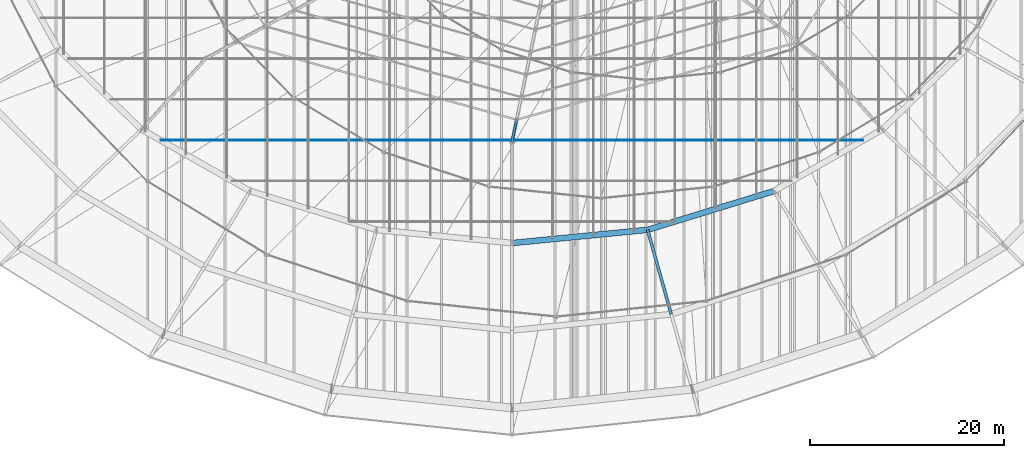
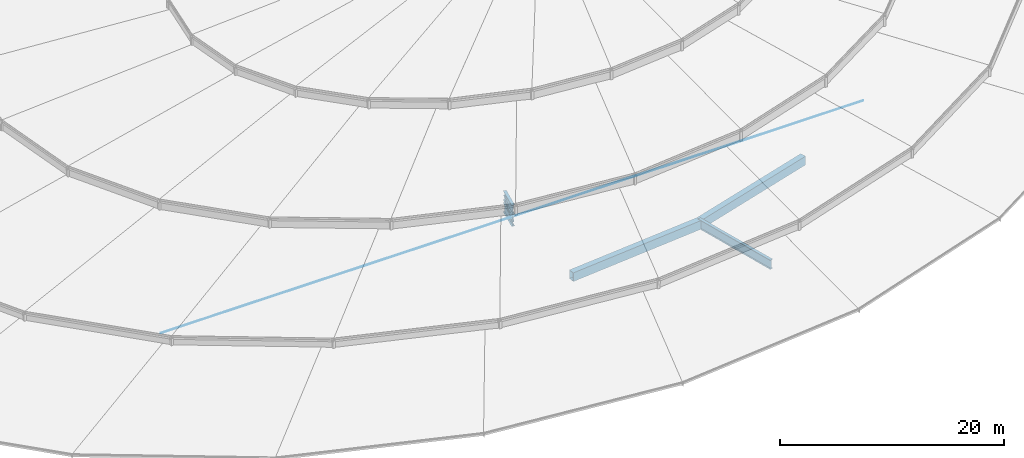
# One storey, part 37 of 184: 5 beams, 2 members.
"""IFC4 building model written with IfcOpenShell, lengths in metres."""

from ifc_helpers import new_model, si_unit, direction, frame, origin, origin_2d, place, context, subcontext, project, spatial, hollow_rectangle, circle, i_section, extrude, material, material_profile, profile_set, type_object, element, save


model = new_model("IFC4")

# Units and contexts
model_context = context("Model", 3, precision=1e-05, world=origin(), true_north=direction((0.0, 1.0)))
body_context = subcontext(model_context, "Body", "Model", "MODEL_VIEW")
ifc_project = project(units=[si_unit("LENGTHUNIT", "METRE"), si_unit("AREAUNIT", "SQUARE_METRE"), si_unit("VOLUMEUNIT", "CUBIC_METRE"), si_unit("PLANEANGLEUNIT", "RADIAN"), si_unit("MASSUNIT", "GRAM", prefix="KILO")], contexts=[model_context])

# Site, building, storey
site_placement = place(None, origin())
site = spatial("IfcSite", under=ifc_project, at=site_placement, CompositionType="ELEMENT")
building_placement = place(site_placement, origin())
building = spatial("IfcBuilding", under=site, at=building_placement, Name="Kalgoora Escarpment Arena", CompositionType="ELEMENT")
storey_placement = place(building_placement, frame((0.0, 0.0, 27.60009765625)))
storey = spatial("IfcBuildingStorey", under=building, at=storey_placement, Name="Roof Level", CompositionType="ELEMENT", Elevation=27.60009765625)

# Beams
ifc_material_1 = material(Name="Structural steel Grade 350 (350 MPa)", Category="steel")
ifc_material_profile_1 = material_profile(ifc_material_1, hollow_rectangle(XDim=0.60009765625, YDim=0.949951171875, WallThickness=0.02490234375, at=origin_2d()))
ifc_profile_set_1 = profile_set([ifc_material_profile_1], Name="Structural steel Grade 350 (350 MPa)")
beam_type_1 = type_object("IfcBeamType", Name="BM-RING-BOX950", PredefinedType="USERDEFINED", material=ifc_profile_set_1)
beam_1_placement = place(storey_placement, frame((92.39990234375, 24.0, -1.25), z_axis=(0.995278116569, 0.097064260569, 0.0), x_axis=(-0.097064260569, 0.995278116569, 0.0)))
element("IfcBeam", 1, at=beam_1_placement, inside=storey, type_object=beam_type_1, Name="Bowl compression RING BEAM chord 19", ObjectType="GIRDER", PredefinedType="USERDEFINED", context=body_context, shape_type="SweptSolid", body=[
    extrude(hollow_rectangle(XDim=0.60009765625, YDim=0.949951171875, WallThickness=0.02490234375, at=origin_2d()), origin(), (0.0, 0.0, 1.0), 14.042724609375),
])
beam_2_placement = place(storey_placement, frame((106.376220703125, 25.363037109375, -1.25), z_axis=(0.956014681671, 0.293318817038, 0.0), x_axis=(-0.293318817038, 0.956014681671, 0.0)))
element("IfcBeam", 2, at=beam_2_placement, inside=storey, type_object=beam_type_1, Name="Bowl compression RING BEAM chord 20", ObjectType="GIRDER", PredefinedType="USERDEFINED", context=body_context, shape_type="SweptSolid", body=[
    extrude(hollow_rectangle(XDim=0.60009765625, YDim=0.949951171875, WallThickness=0.02490234375, at=origin_2d()), origin(), (0.0, 0.0, 1.0), 13.622802734375),
])
ifc_material_2 = material(Name="Structural steel Grade 350 (350 MPa)", Category="steel")
ifc_material_profile_2 = material_profile(ifc_material_2, i_section(OverallWidth=0.300048828125, OverallDepth=1.010009765625, WebThickness=0.01611328125, FlangeThickness=0.030029296875, at=origin_2d()))
ifc_profile_set_2 = profile_set([ifc_material_profile_2], Name="Structural steel Grade 350 (350 MPa)")
beam_type_2 = type_object("IfcBeamType", Name="BM-TRUSS-CHORD", PredefinedType="USERDEFINED", material=ifc_profile_set_2)
beam_3_placement = place(storey_placement, frame((108.80908203125, 16.669677734375, -1.300048828125), z_axis=(-0.269482027297, 0.962941899448, 0.01106052676), x_axis=(-0.963000805722, -0.269498512386, 0.0)))
element("IfcBeam", 3, at=beam_3_placement, inside=storey, type_object=beam_type_2, Name="Inner radial petal support girder R20", ObjectType="GIRDER", PredefinedType="USERDEFINED", context=body_context, shape_type="SweptSolid", body=[
    extrude(i_section(OverallWidth=0.300048828125, OverallDepth=1.010009765625, WebThickness=0.01611328125, FlangeThickness=0.030029296875, at=origin_2d()), origin(), (0.0, 0.0, 1.0), 9.02783203125),
])
for number, where, z_axis, x_axis, name in (
    (4, (92.397705078125, 34.38818359375, -1.650146484375), (0.202507307037, 0.979278408187, 0.002142394684), (-0.979280655568, 0.202507771779, 0.0), "Radial ROOF TRUSS spine 7 bottom chord 2"),
    (5, (92.397705078125, 34.38818359375, -0.35009765625), (0.202506000299, 0.979272089104, 0.004182743583), (-0.979280655568, 0.202507771779, 0.0), "Radial ROOF TRUSS spine 7 top chord 2"),
):
    element("IfcBeam", number, at=place(storey_placement, frame(where, z_axis=z_axis, x_axis=x_axis)), inside=storey, type_object=beam_type_2, Name=name, ObjectType="GIRDER", PredefinedType="USERDEFINED", context=body_context, shape_type="SweptSolid", body=[
        extrude(i_section(OverallWidth=0.300048828125, OverallDepth=1.010009765625, WebThickness=0.01611328125, FlangeThickness=0.030029296875, at=origin_2d()), origin(), (0.0, 0.0, 1.0), 2.39306640625),
    ])

# Members
ifc_material_3 = material(Name="High-tensile spiral strand steel Grade 450 (350 MPa)", Category="steel")
ifc_material_profile_3 = material_profile(ifc_material_3, circle(Radius=0.035888671875, at=origin_2d()))
ifc_profile_set_3 = profile_set([ifc_material_profile_3], Name="High-tensile spiral strand steel Grade 450 (350 MPa)")
member_type_1 = type_object("IfcMemberType", Name="MEM-CABLE-72", PredefinedType="USERDEFINED", material=ifc_profile_set_3)
member_1_placement = place(storey_placement, frame((56.17919921875, 34.60009765625, -1.25), z_axis=(1.0, 0.0, 0.0), x_axis=(0.0, 1.0, 0.0)))
element("IfcMember", 6, at=member_1_placement, inside=storey, type_object=member_type_1, Name="Roof saddle hanging cable X-03", ObjectType="CABLE", PredefinedType="USERDEFINED", context=body_context, shape_type="SweptSolid", body=[
    extrude(circle(Radius=0.035888671875, at=origin_2d()), origin(), (0.0, 0.0, 1.0), 72.441650390625),
])
ifc_material_4 = material(Name="Structural steel C350 (350 MPa)", Category="steel")
ifc_material_profile_4 = material_profile(ifc_material_4, hollow_rectangle(XDim=0.199951171875, YDim=0.199951171875, WallThickness=0.009033203125, at=origin_2d()))
ifc_profile_set_4 = profile_set([ifc_material_profile_4], Name="Structural steel C350 (350 MPa)")
member_type_2 = type_object("IfcMemberType", Name="MEM-TRUSS-DIAG", PredefinedType="BRACE", material=ifc_profile_set_4)
member_2_placement = place(storey_placement, frame((92.39990234375, 34.39990234375, -1.650146484375), z_axis=(0.177292668517, 0.856974684088, 0.483902573379), x_axis=(-0.235536506809, -0.440455034487, 0.866326680044)))
element("IfcMember", 7, at=member_2_placement, inside=storey, type_object=member_type_2, Name="Radial ROOF TRUSS spine 7 web diagonal 2", PredefinedType="BRACE", context=body_context, shape_type="SweptSolid", body=[
    extrude(hollow_rectangle(XDim=0.199951171875, YDim=0.199951171875, WallThickness=0.009033203125, at=origin_2d()), origin(), (0.0, 0.0, 1.0), 2.707275390625),
])

save(model, "model.ifc")
